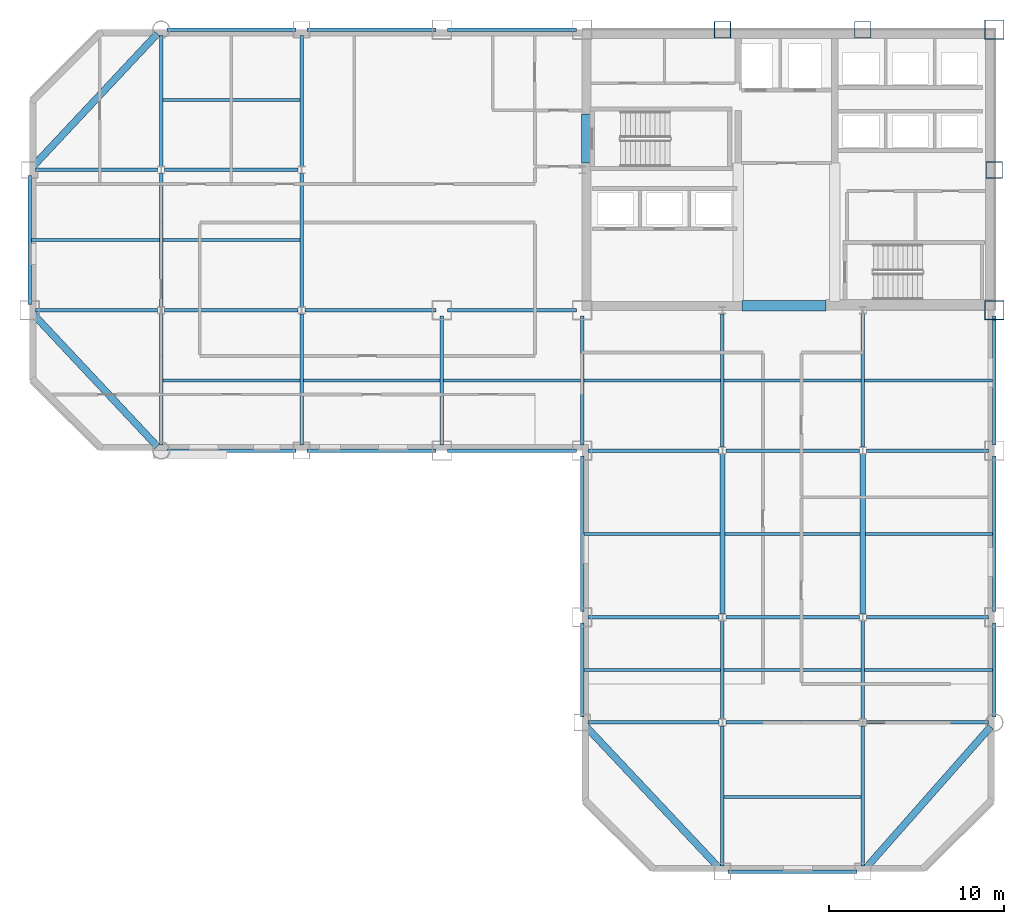
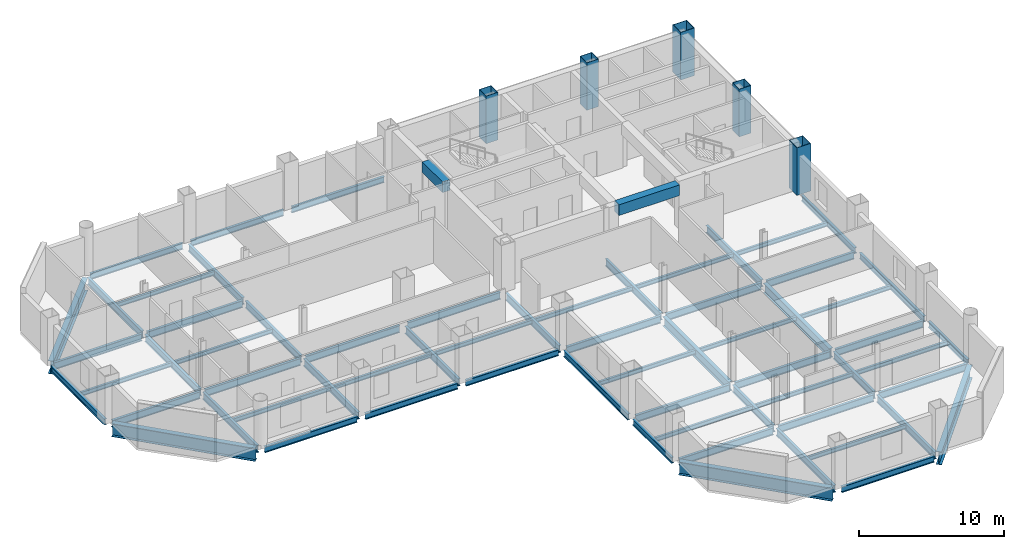
# One storey, part 4 of 10: 66 beams, 5 columns.
"""IFC4 building model written with IfcOpenShell, lengths in metres."""

from ifc_helpers import new_model, si_unit, direction, frame, origin, origin_2d, place, context, subcontext, project, spatial, rectangle, hollow_rectangle, i_section, extrude, material, material_profile, profile_set, type_object, element, save


model = new_model("IFC4")

# Units and contexts
model_context = context("Model", 3, precision=1e-05, world=origin(), true_north=direction((0.0, 1.0)))
body_context = subcontext(model_context, "Body", "Model", "MODEL_VIEW")
ifc_project = project(units=[si_unit("LENGTHUNIT", "METRE"), si_unit("AREAUNIT", "SQUARE_METRE"), si_unit("VOLUMEUNIT", "CUBIC_METRE"), si_unit("PLANEANGLEUNIT", "RADIAN"), si_unit("MASSUNIT", "GRAM", prefix="KILO")], contexts=[model_context])

# Site, building, storey
site_placement = place(None, origin())
site = spatial("IfcSite", under=ifc_project, at=site_placement, CompositionType="ELEMENT")
building_placement = place(site_placement, origin())
building = spatial("IfcBuilding", under=site, at=building_placement, Name="Qianrong Seaharbour Tower", CompositionType="ELEMENT")
storey_placement = place(building_placement, frame((0.0, 0.0, 167.0)))
storey = spatial("IfcBuildingStorey", under=building, at=storey_placement, Name="L40", CompositionType="ELEMENT", Elevation=167.0)

# Columns
ifc_material_1 = material(Name="Structural steel SN490B", Category="steel")
ifc_material_profile_1 = material_profile(ifc_material_1, hollow_rectangle(XDim=1.10009765625, YDim=1.10009765625, WallThickness=0.0400390625, at=origin_2d()), Name="BOX1100x1100x40")
ifc_profile_set_1 = profile_set([ifc_material_profile_1], Name="Structural steel SN490B")
column_type_1 = type_object("IfcColumnType", Name="COL-CFT-1100", PredefinedType="COLUMN", material=ifc_profile_set_1)
for number, where, z_axis, x_axis, name in (
    (1, (64.0, 36.0, 0.0), (0.0, 0.0, 1.0), (1.0, 0.0, 0.0), "L40 Column MC-3 at G9/GF"),
    (2, (64.0, 52.0, 0.0), (0.0, 0.0, 1.0), (1.0, 0.0, 0.0), "L40 Column MC-3 at G9/GH"),
):
    element("IfcColumn", number, at=place(storey_placement, frame(where, z_axis=z_axis, x_axis=x_axis)), inside=storey, type_object=column_type_1, Name=name, PredefinedType="COLUMN", context=body_context, shape_type="SweptSolid", body=[
        extrude(hollow_rectangle(XDim=1.10009765625, YDim=1.10009765625, WallThickness=0.0400390625, at=origin_2d()), origin(), (0.0, 0.0, 1.0), 4.0),
    ])
ifc_material_profile_2 = material_profile(ifc_material_1, hollow_rectangle(XDim=0.949951171875, YDim=0.949951171875, WallThickness=0.035888671875, at=origin_2d()), Name="BOX950x950x36")
ifc_profile_set_2 = profile_set([ifc_material_profile_2], Name="Structural steel SN490B")
column_type_2 = type_object("IfcColumnType", Name="COL-PER-950", PredefinedType="COLUMN", material=ifc_profile_set_2)
for number, where, z_axis, x_axis, name in (
    (3, (48.5, 52.0, 0.0), (0.0, 0.0, 1.0), (1.0, 0.0, 0.0), "L40 Column PC-2 at G7/GH"),
    (4, (56.5, 52.0, 0.0), (0.0, 0.0, 1.0), (1.0, 0.0, 0.0), "L40 Column PC-2 at G8/GH"),
    (5, (64.0, 44.0, 0.0), (0.0, 0.0, 1.0), (1.0, 0.0, 0.0), "L40 Column PC-2 at G9/GG"),
):
    element("IfcColumn", number, at=place(storey_placement, frame(where, z_axis=z_axis, x_axis=x_axis)), inside=storey, type_object=column_type_2, Name=name, PredefinedType="COLUMN", context=body_context, shape_type="SweptSolid", body=[
        extrude(hollow_rectangle(XDim=0.949951171875, YDim=0.949951171875, WallThickness=0.035888671875, at=origin_2d()), origin(), (0.0, 0.0, 1.0), 4.0),
    ])

# Beams
ifc_material_profile_3 = material_profile(ifc_material_1, i_section(OverallWidth=0.199951171875, OverallDepth=0.60009765625, WebThickness=0.010986328125, FlangeThickness=0.01708984375, FilletRadius=0.02197265625, at=origin_2d()), Name="H600x200x11x17")
ifc_profile_set_3 = profile_set([ifc_material_profile_3], Name="Structural steel SN490B")
beam_type_1 = type_object("IfcBeamType", Name="BM-G-600", PredefinedType="BEAM", material=ifc_profile_set_3)
beam_1_placement = place(storey_placement, frame((40.820068359375, 12.5, -0.534912109375), z_axis=(1.0, 0.0, 0.0), x_axis=(0.0, 1.0, 0.0)))
element("IfcBeam", 6, at=beam_1_placement, inside=storey, type_object=beam_type_1, Name="L40 Primary Girder GC G6-G7", PredefinedType="BEAM", context=body_context, shape_type="SweptSolid", body=[
    extrude(i_section(OverallWidth=0.199951171875, OverallDepth=0.60009765625, WebThickness=0.010986328125, FlangeThickness=0.01708984375, FilletRadius=0.02197265625, at=origin_2d()), origin(), (0.0, 0.0, 1.0), 7.47998046875),
])
beam_2_placement = place(storey_placement, frame((48.699951171875, 12.5, -0.534912109375), z_axis=(1.0, 0.0, 0.0), x_axis=(0.0, 1.0, 0.0)))
element("IfcBeam", 7, at=beam_2_placement, inside=storey, type_object=beam_type_1, Name="L40 Primary Girder GC G7-G8", PredefinedType="BEAM", context=body_context, shape_type="SweptSolid", body=[
    extrude(i_section(OverallWidth=0.199951171875, OverallDepth=0.60009765625, WebThickness=0.010986328125, FlangeThickness=0.01708984375, FilletRadius=0.02197265625, at=origin_2d()), origin(), (0.0, 0.0, 1.0), 7.60009765625),
])
beam_3_placement = place(storey_placement, frame((56.699951171875, 12.5, -0.534912109375), z_axis=(1.0, 0.0, 0.0), x_axis=(0.0, 1.0, 0.0)))
element("IfcBeam", 8, at=beam_3_placement, inside=storey, type_object=beam_type_1, Name="L40 Primary Girder GC G8-G9", PredefinedType="BEAM", context=body_context, shape_type="SweptSolid", body=[
    extrude(i_section(OverallWidth=0.199951171875, OverallDepth=0.60009765625, WebThickness=0.010986328125, FlangeThickness=0.01708984375, FilletRadius=0.02197265625, at=origin_2d()), origin(), (0.0, 0.0, 1.0), 6.97998046875),
])
beam_4_placement = place(storey_placement, frame((40.820068359375, 18.5, -0.534912109375), z_axis=(1.0, 0.0, 0.0), x_axis=(0.0, 1.0, 0.0)))
element("IfcBeam", 9, at=beam_4_placement, inside=storey, type_object=beam_type_1, Name="L40 Primary Girder GD G6-G7", PredefinedType="BEAM", context=body_context, shape_type="SweptSolid", body=[
    extrude(i_section(OverallWidth=0.199951171875, OverallDepth=0.60009765625, WebThickness=0.010986328125, FlangeThickness=0.01708984375, FilletRadius=0.02197265625, at=origin_2d()), origin(), (0.0, 0.0, 1.0), 7.47998046875),
])
beam_5_placement = place(storey_placement, frame((48.699951171875, 18.5, -0.534912109375), z_axis=(1.0, 0.0, 0.0), x_axis=(0.0, 1.0, 0.0)))
element("IfcBeam", 10, at=beam_5_placement, inside=storey, type_object=beam_type_1, Name="L40 Primary Girder GD G7-G8", PredefinedType="BEAM", context=body_context, shape_type="SweptSolid", body=[
    extrude(i_section(OverallWidth=0.199951171875, OverallDepth=0.60009765625, WebThickness=0.010986328125, FlangeThickness=0.01708984375, FilletRadius=0.02197265625, at=origin_2d()), origin(), (0.0, 0.0, 1.0), 7.60009765625),
])
beam_6_placement = place(storey_placement, frame((56.699951171875, 18.5, -0.534912109375), z_axis=(1.0, 0.0, 0.0), x_axis=(0.0, 1.0, 0.0)))
element("IfcBeam", 11, at=beam_6_placement, inside=storey, type_object=beam_type_1, Name="L40 Primary Girder GD G8-G9", PredefinedType="BEAM", context=body_context, shape_type="SweptSolid", body=[
    extrude(i_section(OverallWidth=0.199951171875, OverallDepth=0.60009765625, WebThickness=0.010986328125, FlangeThickness=0.01708984375, FilletRadius=0.02197265625, at=origin_2d()), origin(), (0.0, 0.0, 1.0), 6.97998046875),
])
beam_7_placement = place(storey_placement, frame((40.820068359375, 28.0, -0.534912109375), z_axis=(1.0, 0.0, 0.0), x_axis=(0.0, 1.0, 0.0)))
element("IfcBeam", 12, at=beam_7_placement, inside=storey, type_object=beam_type_1, Name="L40 Primary Girder GE G6-G7", PredefinedType="BEAM", context=body_context, shape_type="SweptSolid", body=[
    extrude(i_section(OverallWidth=0.199951171875, OverallDepth=0.60009765625, WebThickness=0.010986328125, FlangeThickness=0.01708984375, FilletRadius=0.02197265625, at=origin_2d()), origin(), (0.0, 0.0, 1.0), 7.47998046875),
])
beam_8_placement = place(storey_placement, frame((48.699951171875, 28.0, -0.534912109375), z_axis=(1.0, 0.0, 0.0), x_axis=(0.0, 1.0, 0.0)))
element("IfcBeam", 13, at=beam_8_placement, inside=storey, type_object=beam_type_1, Name="L40 Primary Girder GE G7-G8", PredefinedType="BEAM", context=body_context, shape_type="SweptSolid", body=[
    extrude(i_section(OverallWidth=0.199951171875, OverallDepth=0.60009765625, WebThickness=0.010986328125, FlangeThickness=0.01708984375, FilletRadius=0.02197265625, at=origin_2d()), origin(), (0.0, 0.0, 1.0), 7.60009765625),
])
for number, where, z_axis, x_axis, name in (
    (14, (56.699951171875, 28.0, -0.534912109375), (1.0, 0.0, 0.0), (0.0, 1.0, 0.0), "L40 Primary Girder GE G8-G9"),
    (15, (9.320068359375, 36.0, -0.534912109375), (1.0, 0.0, 0.0), (0.0, 1.0, 0.0), "L40 Primary Girder GF G2-G3"),
):
    element("IfcBeam", number, at=place(storey_placement, frame(where, z_axis=z_axis, x_axis=x_axis)), inside=storey, type_object=beam_type_1, Name=name, PredefinedType="BEAM", context=body_context, shape_type="SweptSolid", body=[
        extrude(i_section(OverallWidth=0.199951171875, OverallDepth=0.60009765625, WebThickness=0.010986328125, FlangeThickness=0.01708984375, FilletRadius=0.02197265625, at=origin_2d()), origin(), (0.0, 0.0, 1.0), 6.97998046875),
    ])
beam_9_placement = place(storey_placement, frame((16.699951171875, 36.0, -0.534912109375), z_axis=(1.0, 0.0, 0.0), x_axis=(0.0, 1.0, 0.0)))
element("IfcBeam", 16, at=beam_9_placement, inside=storey, type_object=beam_type_1, Name="L40 Primary Girder GF G3-G4", PredefinedType="BEAM", context=body_context, shape_type="SweptSolid", body=[
    extrude(i_section(OverallWidth=0.199951171875, OverallDepth=0.60009765625, WebThickness=0.010986328125, FlangeThickness=0.01708984375, FilletRadius=0.02197265625, at=origin_2d()), origin(), (0.0, 0.0, 1.0), 7.60009765625),
])
beam_10_placement = place(storey_placement, frame((24.699951171875, 36.0, -0.534912109375), z_axis=(1.0, 0.0, 0.0), x_axis=(0.0, 1.0, 0.0)))
element("IfcBeam", 17, at=beam_10_placement, inside=storey, type_object=beam_type_1, Name="L40 Primary Girder GF G4-G5", PredefinedType="BEAM", context=body_context, shape_type="SweptSolid", body=[
    extrude(i_section(OverallWidth=0.199951171875, OverallDepth=0.60009765625, WebThickness=0.010986328125, FlangeThickness=0.01708984375, FilletRadius=0.02197265625, at=origin_2d()), origin(), (0.0, 0.0, 1.0), 7.47998046875),
])
beam_11_placement = place(storey_placement, frame((32.820068359375, 36.0, -0.534912109375), z_axis=(1.0, 0.0, 0.0), x_axis=(0.0, 1.0, 0.0)))
element("IfcBeam", 18, at=beam_11_placement, inside=storey, type_object=beam_type_1, Name="L40 Primary Girder GF G5-G6", PredefinedType="BEAM", context=body_context, shape_type="SweptSolid", body=[
    extrude(i_section(OverallWidth=0.199951171875, OverallDepth=0.60009765625, WebThickness=0.010986328125, FlangeThickness=0.01708984375, FilletRadius=0.02197265625, at=origin_2d()), origin(), (0.0, 0.0, 1.0), 7.35986328125),
])
beam_12_placement = place(storey_placement, frame((9.320068359375, 44.0, -0.534912109375), z_axis=(1.0, 0.0, 0.0), x_axis=(0.0, 1.0, 0.0)))
element("IfcBeam", 19, at=beam_12_placement, inside=storey, type_object=beam_type_1, Name="L40 Primary Girder GG G2-G3", PredefinedType="BEAM", context=body_context, shape_type="SweptSolid", body=[
    extrude(i_section(OverallWidth=0.199951171875, OverallDepth=0.60009765625, WebThickness=0.010986328125, FlangeThickness=0.01708984375, FilletRadius=0.02197265625, at=origin_2d()), origin(), (0.0, 0.0, 1.0), 6.97998046875),
])
beam_13_placement = place(storey_placement, frame((16.699951171875, 44.0, -0.534912109375), z_axis=(1.0, 0.0, 0.0), x_axis=(0.0, 1.0, 0.0)))
element("IfcBeam", 20, at=beam_13_placement, inside=storey, type_object=beam_type_1, Name="L40 Primary Girder GG G3-G4", PredefinedType="BEAM", context=body_context, shape_type="SweptSolid", body=[
    extrude(i_section(OverallWidth=0.199951171875, OverallDepth=0.60009765625, WebThickness=0.010986328125, FlangeThickness=0.01708984375, FilletRadius=0.02197265625, at=origin_2d()), origin(), (0.0, 0.0, 1.0), 7.60009765625),
])
beam_14_placement = place(storey_placement, frame((16.5, 28.320068359375, -0.534912109375), z_axis=(0.0, 1.0, 0.0), x_axis=(-1.0, 0.0, 0.0)))
element("IfcBeam", 21, at=beam_14_placement, inside=storey, type_object=beam_type_1, Name="L40 Primary Girder G3 GE-GF", PredefinedType="BEAM", context=body_context, shape_type="SweptSolid", body=[
    extrude(i_section(OverallWidth=0.199951171875, OverallDepth=0.60009765625, WebThickness=0.010986328125, FlangeThickness=0.01708984375, FilletRadius=0.02197265625, at=origin_2d()), origin(), (0.0, 0.0, 1.0), 7.47998046875),
])
beam_15_placement = place(storey_placement, frame((16.5, 36.199951171875, -0.534912109375), z_axis=(0.0, 1.0, 0.0), x_axis=(-1.0, 0.0, 0.0)))
element("IfcBeam", 22, at=beam_15_placement, inside=storey, type_object=beam_type_1, Name="L40 Primary Girder G3 GF-GG", PredefinedType="BEAM", context=body_context, shape_type="SweptSolid", body=[
    extrude(i_section(OverallWidth=0.199951171875, OverallDepth=0.60009765625, WebThickness=0.010986328125, FlangeThickness=0.01708984375, FilletRadius=0.02197265625, at=origin_2d()), origin(), (0.0, 0.0, 1.0), 7.60009765625),
])
for number, where, z_axis, x_axis, name in (
    (23, (16.5, 44.199951171875, -0.534912109375), (0.0, 1.0, 0.0), (-1.0, 0.0, 0.0), "L40 Primary Girder G3 GG-GH"),
    (24, (24.5, 28.320068359375, -0.534912109375), (0.0, 1.0, 0.0), (-1.0, 0.0, 0.0), "L40 Primary Girder G4 GE-GF"),
):
    element("IfcBeam", number, at=place(storey_placement, frame(where, z_axis=z_axis, x_axis=x_axis)), inside=storey, type_object=beam_type_1, Name=name, PredefinedType="BEAM", context=body_context, shape_type="SweptSolid", body=[
        extrude(i_section(OverallWidth=0.199951171875, OverallDepth=0.60009765625, WebThickness=0.010986328125, FlangeThickness=0.01708984375, FilletRadius=0.02197265625, at=origin_2d()), origin(), (0.0, 0.0, 1.0), 7.47998046875),
    ])
beam_16_placement = place(storey_placement, frame((24.5, 36.199951171875, -0.534912109375), z_axis=(0.0, 1.0, 0.0), x_axis=(-1.0, 0.0, 0.0)))
element("IfcBeam", 25, at=beam_16_placement, inside=storey, type_object=beam_type_1, Name="L40 Primary Girder G4 GF-GG", PredefinedType="BEAM", context=body_context, shape_type="SweptSolid", body=[
    extrude(i_section(OverallWidth=0.199951171875, OverallDepth=0.60009765625, WebThickness=0.010986328125, FlangeThickness=0.01708984375, FilletRadius=0.02197265625, at=origin_2d()), origin(), (0.0, 0.0, 1.0), 7.60009765625),
])
beam_17_placement = place(storey_placement, frame((24.5, 44.199951171875, -0.534912109375), z_axis=(0.0, 1.0, 0.0), x_axis=(-1.0, 0.0, 0.0)))
element("IfcBeam", 26, at=beam_17_placement, inside=storey, type_object=beam_type_1, Name="L40 Primary Girder G4 GG-GH", PredefinedType="BEAM", context=body_context, shape_type="SweptSolid", body=[
    extrude(i_section(OverallWidth=0.199951171875, OverallDepth=0.60009765625, WebThickness=0.010986328125, FlangeThickness=0.01708984375, FilletRadius=0.02197265625, at=origin_2d()), origin(), (0.0, 0.0, 1.0), 7.47998046875),
])
for number, where, z_axis, x_axis, name in (
    (27, (32.5, 28.320068359375, -0.534912109375), (0.0, 1.0, 0.0), (-1.0, 0.0, 0.0), "L40 Primary Girder G5 GE-GF"),
    (28, (40.5, 28.320068359375, -0.534912109375), (0.0, 1.0, 0.0), (-1.0, 0.0, 0.0), "L40 Primary Girder G6 GE-GF"),
):
    element("IfcBeam", number, at=place(storey_placement, frame(where, z_axis=z_axis, x_axis=x_axis)), inside=storey, type_object=beam_type_1, Name=name, PredefinedType="BEAM", context=body_context, shape_type="SweptSolid", body=[
        extrude(i_section(OverallWidth=0.199951171875, OverallDepth=0.60009765625, WebThickness=0.010986328125, FlangeThickness=0.01708984375, FilletRadius=0.02197265625, at=origin_2d()), origin(), (0.0, 0.0, 1.0), 7.35986328125),
    ])
beam_18_placement = place(storey_placement, frame((48.5, 4.320068359375, -0.534912109375), z_axis=(0.0, 1.0, 0.0), x_axis=(-1.0, 0.0, 0.0)))
element("IfcBeam", 29, at=beam_18_placement, inside=storey, type_object=beam_type_1, Name="L40 Primary Girder G7 GB-GC", PredefinedType="BEAM", context=body_context, shape_type="SweptSolid", body=[
    extrude(i_section(OverallWidth=0.199951171875, OverallDepth=0.60009765625, WebThickness=0.010986328125, FlangeThickness=0.01708984375, FilletRadius=0.02197265625, at=origin_2d()), origin(), (0.0, 0.0, 1.0), 7.97998046875),
])
beam_19_placement = place(storey_placement, frame((48.5, 12.699951171875, -0.534912109375), z_axis=(0.0, 1.0, 0.0), x_axis=(-1.0, 0.0, 0.0)))
element("IfcBeam", 30, at=beam_19_placement, inside=storey, type_object=beam_type_1, Name="L40 Primary Girder G7 GC-GD", PredefinedType="BEAM", context=body_context, shape_type="SweptSolid", body=[
    extrude(i_section(OverallWidth=0.199951171875, OverallDepth=0.60009765625, WebThickness=0.010986328125, FlangeThickness=0.01708984375, FilletRadius=0.02197265625, at=origin_2d()), origin(), (0.0, 0.0, 1.0), 5.60009765625),
])
beam_20_placement = place(storey_placement, frame((48.5, 28.199951171875, -0.534912109375), z_axis=(0.0, 1.0, 0.0), x_axis=(-1.0, 0.0, 0.0)))
element("IfcBeam", 31, at=beam_20_placement, inside=storey, type_object=beam_type_1, Name="L40 Primary Girder G7 GE-GF", PredefinedType="BEAM", context=body_context, shape_type="SweptSolid", body=[
    extrude(i_section(OverallWidth=0.199951171875, OverallDepth=0.60009765625, WebThickness=0.010986328125, FlangeThickness=0.01708984375, FilletRadius=0.02197265625, at=origin_2d()), origin(), (0.0, 0.0, 1.0), 7.60009765625),
])
beam_21_placement = place(storey_placement, frame((56.5, 4.320068359375, -0.534912109375), z_axis=(0.0, 1.0, 0.0), x_axis=(-1.0, 0.0, 0.0)))
element("IfcBeam", 32, at=beam_21_placement, inside=storey, type_object=beam_type_1, Name="L40 Primary Girder G8 GB-GC", PredefinedType="BEAM", context=body_context, shape_type="SweptSolid", body=[
    extrude(i_section(OverallWidth=0.199951171875, OverallDepth=0.60009765625, WebThickness=0.010986328125, FlangeThickness=0.01708984375, FilletRadius=0.02197265625, at=origin_2d()), origin(), (0.0, 0.0, 1.0), 7.97998046875),
])
beam_22_placement = place(storey_placement, frame((56.5, 12.699951171875, -0.534912109375), z_axis=(0.0, 1.0, 0.0), x_axis=(-1.0, 0.0, 0.0)))
element("IfcBeam", 33, at=beam_22_placement, inside=storey, type_object=beam_type_1, Name="L40 Primary Girder G8 GC-GD", PredefinedType="BEAM", context=body_context, shape_type="SweptSolid", body=[
    extrude(i_section(OverallWidth=0.199951171875, OverallDepth=0.60009765625, WebThickness=0.010986328125, FlangeThickness=0.01708984375, FilletRadius=0.02197265625, at=origin_2d()), origin(), (0.0, 0.0, 1.0), 5.60009765625),
])
beam_23_placement = place(storey_placement, frame((56.5, 28.199951171875, -0.534912109375), z_axis=(0.0, 1.0, 0.0), x_axis=(-1.0, 0.0, 0.0)))
element("IfcBeam", 34, at=beam_23_placement, inside=storey, type_object=beam_type_1, Name="L40 Primary Girder G8 GE-GF", PredefinedType="BEAM", context=body_context, shape_type="SweptSolid", body=[
    extrude(i_section(OverallWidth=0.199951171875, OverallDepth=0.60009765625, WebThickness=0.010986328125, FlangeThickness=0.01708984375, FilletRadius=0.02197265625, at=origin_2d()), origin(), (0.0, 0.0, 1.0), 7.60009765625),
])
ifc_material_profile_4 = material_profile(ifc_material_1, i_section(OverallWidth=0.300048828125, OverallDepth=0.800048828125, WebThickness=0.013916015625, FlangeThickness=0.02587890625, FilletRadius=0.028076171875, at=origin_2d()), Name="H800x300x14x26")
ifc_profile_set_4 = profile_set([ifc_material_profile_4], Name="Structural steel SN490B")
beam_type_2 = type_object("IfcBeamType", Name="BM-G-800", PredefinedType="BEAM", material=ifc_profile_set_4)
for number, where, z_axis, x_axis, name in (
    (35, (48.5, 18.699951171875, -0.635009765625), (0.0, 1.0, 0.0), (-1.0, 0.0, 0.0), "L40 Primary Girder G7 GD-GE"),
    (36, (56.5, 18.699951171875, -0.635009765625), (0.0, 1.0, 0.0), (-1.0, 0.0, 0.0), "L40 Primary Girder G8 GD-GE"),
):
    element("IfcBeam", number, at=place(storey_placement, frame(where, z_axis=z_axis, x_axis=x_axis)), inside=storey, type_object=beam_type_2, Name=name, PredefinedType="BEAM", context=body_context, shape_type="SweptSolid", body=[
        extrude(i_section(OverallWidth=0.300048828125, OverallDepth=0.800048828125, WebThickness=0.013916015625, FlangeThickness=0.02587890625, FilletRadius=0.028076171875, at=origin_2d()), origin(), (0.0, 0.0, 1.0), 9.10009765625),
    ])
ifc_material_2 = material(Name="Structural steel SN400B", Category="steel")
ifc_material_profile_5 = material_profile(ifc_material_2, i_section(OverallWidth=0.175048828125, OverallDepth=0.35009765625, WebThickness=0.007080078125, FlangeThickness=0.010986328125, FilletRadius=0.013916015625, at=origin_2d()), Name="H350x175x7x11")
ifc_profile_set_5 = profile_set([ifc_material_profile_5], Name="Structural steel SN400B")
beam_type_3 = type_object("IfcBeamType", Name="BM-J-350", PredefinedType="JOIST", material=ifc_profile_set_5)
beam_24_placement = place(storey_placement, frame((9.10009765625, 40.0, -0.409912109375), z_axis=(1.0, 0.0, 0.0), x_axis=(0.0, 1.0, 0.0)))
element("IfcBeam", 37, at=beam_24_placement, inside=storey, type_object=beam_type_3, Name="L40 Composite Floor Joist G2-G3/GF-GG", PredefinedType="JOIST", context=body_context, shape_type="SweptSolid", body=[
    extrude(i_section(OverallWidth=0.175048828125, OverallDepth=0.35009765625, WebThickness=0.007080078125, FlangeThickness=0.010986328125, FilletRadius=0.013916015625, at=origin_2d()), origin(), (0.0, 0.0, 1.0), 7.2998046875),
])
for number, where, z_axis, x_axis, name in (
    (38, (16.60009765625, 32.0, -0.409912109375), (1.0, 0.0, 0.0), (0.0, 1.0, 0.0), "L40 Composite Floor Joist G3-G4/GE-GF"),
    (39, (16.60009765625, 40.0, -0.409912109375), (1.0, 0.0, 0.0), (0.0, 1.0, 0.0), "L40 Composite Floor Joist G3-G4/GF-GG"),
    (40, (16.60009765625, 48.0, -0.409912109375), (1.0, 0.0, 0.0), (0.0, 1.0, 0.0), "L40 Composite Floor Joist G3-G4/GG-GH"),
    (41, (24.60009765625, 32.0, -0.409912109375), (1.0, 0.0, 0.0), (0.0, 1.0, 0.0), "L40 Composite Floor Joist G4-G5/GE-GF"),
    (42, (32.60009765625, 32.0, -0.409912109375), (1.0, 0.0, 0.0), (0.0, 1.0, 0.0), "L40 Composite Floor Joist G5-G6/GE-GF"),
    (43, (40.60009765625, 15.5, -0.409912109375), (1.0, 0.0, 0.0), (0.0, 1.0, 0.0), "L40 Composite Floor Joist G6-G7/GC-GD"),
):
    element("IfcBeam", number, at=place(storey_placement, frame(where, z_axis=z_axis, x_axis=x_axis)), inside=storey, type_object=beam_type_3, Name=name, PredefinedType="JOIST", context=body_context, shape_type="SweptSolid", body=[
        extrude(i_section(OverallWidth=0.175048828125, OverallDepth=0.35009765625, WebThickness=0.007080078125, FlangeThickness=0.010986328125, FilletRadius=0.013916015625, at=origin_2d()), origin(), (0.0, 0.0, 1.0), 7.7998046875),
    ])
beam_25_placement = place(storey_placement, frame((40.60009765625, 23.25, -0.409912109375), z_axis=(1.0, 0.0, 0.0), x_axis=(0.0, 1.0, 0.0)))
element("IfcBeam", 44, at=beam_25_placement, inside=storey, type_object=beam_type_3, Name="L40 Composite Floor Joist G6-G7/GD-GE", PredefinedType="JOIST", context=body_context, shape_type="SweptSolid", body=[
    extrude(i_section(OverallWidth=0.175048828125, OverallDepth=0.35009765625, WebThickness=0.007080078125, FlangeThickness=0.010986328125, FilletRadius=0.013916015625, at=origin_2d()), origin(), (0.0, 0.0, 1.0), 7.75),
])
for number, where, z_axis, x_axis, name in (
    (45, (40.60009765625, 32.0, -0.409912109375), (1.0, 0.0, 0.0), (0.0, 1.0, 0.0), "L40 Composite Floor Joist G6-G7/GE-GF"),
    (46, (48.60009765625, 8.25, -0.409912109375), (1.0, 0.0, 0.0), (0.0, 1.0, 0.0), "L40 Composite Floor Joist G7-G8/GB-GC"),
    (47, (48.60009765625, 15.5, -0.409912109375), (1.0, 0.0, 0.0), (0.0, 1.0, 0.0), "L40 Composite Floor Joist G7-G8/GC-GD"),
):
    element("IfcBeam", number, at=place(storey_placement, frame(where, z_axis=z_axis, x_axis=x_axis)), inside=storey, type_object=beam_type_3, Name=name, PredefinedType="JOIST", context=body_context, shape_type="SweptSolid", body=[
        extrude(i_section(OverallWidth=0.175048828125, OverallDepth=0.35009765625, WebThickness=0.007080078125, FlangeThickness=0.010986328125, FilletRadius=0.013916015625, at=origin_2d()), origin(), (0.0, 0.0, 1.0), 7.7998046875),
    ])
beam_26_placement = place(storey_placement, frame((48.64990234375, 23.25, -0.409912109375), z_axis=(1.0, 0.0, 0.0), x_axis=(0.0, 1.0, 0.0)))
element("IfcBeam", 48, at=beam_26_placement, inside=storey, type_object=beam_type_3, Name="L40 Composite Floor Joist G7-G8/GD-GE", PredefinedType="JOIST", context=body_context, shape_type="SweptSolid", body=[
    extrude(i_section(OverallWidth=0.175048828125, OverallDepth=0.35009765625, WebThickness=0.007080078125, FlangeThickness=0.010986328125, FilletRadius=0.013916015625, at=origin_2d()), origin(), (0.0, 0.0, 1.0), 7.7001953125),
])
beam_27_placement = place(storey_placement, frame((48.60009765625, 32.0, -0.409912109375), z_axis=(1.0, 0.0, 0.0), x_axis=(0.0, 1.0, 0.0)))
element("IfcBeam", 49, at=beam_27_placement, inside=storey, type_object=beam_type_3, Name="L40 Composite Floor Joist G7-G8/GE-GF", PredefinedType="JOIST", context=body_context, shape_type="SweptSolid", body=[
    extrude(i_section(OverallWidth=0.175048828125, OverallDepth=0.35009765625, WebThickness=0.007080078125, FlangeThickness=0.010986328125, FilletRadius=0.013916015625, at=origin_2d()), origin(), (0.0, 0.0, 1.0), 7.7998046875),
])
beam_28_placement = place(storey_placement, frame((56.60009765625, 15.5, -0.409912109375), z_axis=(1.0, 0.0, 0.0), x_axis=(0.0, 1.0, 0.0)))
element("IfcBeam", 50, at=beam_28_placement, inside=storey, type_object=beam_type_3, Name="L40 Composite Floor Joist G8-G9/GC-GD", PredefinedType="JOIST", context=body_context, shape_type="SweptSolid", body=[
    extrude(i_section(OverallWidth=0.175048828125, OverallDepth=0.35009765625, WebThickness=0.007080078125, FlangeThickness=0.010986328125, FilletRadius=0.013916015625, at=origin_2d()), origin(), (0.0, 0.0, 1.0), 7.2998046875),
])
beam_29_placement = place(storey_placement, frame((56.64990234375, 23.25, -0.409912109375), z_axis=(1.0, 0.0, 0.0), x_axis=(0.0, 1.0, 0.0)))
element("IfcBeam", 51, at=beam_29_placement, inside=storey, type_object=beam_type_3, Name="L40 Composite Floor Joist G8-G9/GD-GE", PredefinedType="JOIST", context=body_context, shape_type="SweptSolid", body=[
    extrude(i_section(OverallWidth=0.175048828125, OverallDepth=0.35009765625, WebThickness=0.007080078125, FlangeThickness=0.010986328125, FilletRadius=0.013916015625, at=origin_2d()), origin(), (0.0, 0.0, 1.0), 7.25),
])
beam_30_placement = place(storey_placement, frame((56.60009765625, 32.0, -0.409912109375), z_axis=(1.0, 0.0, 0.0), x_axis=(0.0, 1.0, 0.0)))
element("IfcBeam", 52, at=beam_30_placement, inside=storey, type_object=beam_type_3, Name="L40 Composite Floor Joist G8-G9/GE-GF", PredefinedType="JOIST", context=body_context, shape_type="SweptSolid", body=[
    extrude(i_section(OverallWidth=0.175048828125, OverallDepth=0.35009765625, WebThickness=0.007080078125, FlangeThickness=0.010986328125, FilletRadius=0.013916015625, at=origin_2d()), origin(), (0.0, 0.0, 1.0), 7.2998046875),
])
ifc_material_3 = material(Name="Concrete C70/85", Category="concrete")
ifc_material_profile_6 = material_profile(ifc_material_3, rectangle(XDim=0.60009765625, YDim=0.89990234375, at=origin_2d()), Name="RC600x900")
ifc_profile_set_6 = profile_set([ifc_material_profile_6], Name="Concrete C70/85")
beam_type_4 = type_object("IfcBeamType", Name="BM-LINTEL-900", PredefinedType="LINTEL", material=ifc_profile_set_6)
beam_31_placement = place(storey_placement, frame((40.75, 44.39990234375, 3.31494140625), z_axis=(0.0, 1.0, 0.0), x_axis=(-1.0, 0.0, 0.0)))
element("IfcBeam", 53, at=beam_31_placement, inside=storey, type_object=beam_type_4, Name="L40 Core Coupling Lintel Beam West", PredefinedType="LINTEL", context=body_context, shape_type="SweptSolid", body=[
    extrude(rectangle(XDim=0.60009765625, YDim=0.89990234375, at=origin_2d()), origin(), (0.0, 0.0, 1.0), 2.800048828125),
])
beam_32_placement = place(storey_placement, frame((49.60009765625, 36.25, 3.31494140625), z_axis=(1.0, 0.0, 0.0), x_axis=(0.0, 1.0, 0.0)))
element("IfcBeam", 54, at=beam_32_placement, inside=storey, type_object=beam_type_4, Name="L40 Core Coupling Lintel Beam CBC", PredefinedType="LINTEL", context=body_context, shape_type="SweptSolid", body=[
    extrude(rectangle(XDim=0.60009765625, YDim=0.89990234375, at=origin_2d()), origin(), (0.0, 0.0, 1.0), 4.7998046875),
])
ifc_material_profile_7 = material_profile(ifc_material_1, i_section(OverallWidth=0.199951171875, OverallDepth=0.5, WebThickness=0.010009765625, FlangeThickness=0.01611328125, FilletRadius=0.02001953125, at=origin_2d()), Name="H500x200x10x16")
ifc_profile_set_7 = profile_set([ifc_material_profile_7], Name="Structural steel SN490B")
beam_type_5 = type_object("IfcBeamType", Name="BM-SP-500", PredefinedType="SPANDREL", material=ifc_profile_set_7)
for number, where, z_axis, x_axis, name in (
    (55, (48.820068359375, 4.0, -0.485107421875), (1.0, 0.0, 0.0), (0.0, 1.0, 0.0), "L40 Spandrel Girder GB G7-G8"),
    (56, (16.820068359375, 28.0, -0.485107421875), (1.0, 0.0, 0.0), (0.0, 1.0, 0.0), "L40 Spandrel Girder GE G3-G4"),
    (57, (24.820068359375, 28.0, -0.485107421875), (1.0, 0.0, 0.0), (0.0, 1.0, 0.0), "L40 Spandrel Girder GE G4-G5"),
    (58, (32.820068359375, 28.0, -0.485107421875), (1.0, 0.0, 0.0), (0.0, 1.0, 0.0), "L40 Spandrel Girder GE G5-G6"),
    (59, (16.820068359375, 52.0, -0.485107421875), (1.0, 0.0, 0.0), (0.0, 1.0, 0.0), "L40 Spandrel Girder GH G3-G4"),
    (60, (24.820068359375, 52.0, -0.485107421875), (1.0, 0.0, 0.0), (0.0, 1.0, 0.0), "L40 Spandrel Girder GH G4-G5"),
    (61, (32.820068359375, 52.0, -0.485107421875), (1.0, 0.0, 0.0), (0.0, 1.0, 0.0), "L40 Spandrel Girder GH G5-G6"),
    (62, (9.0, 36.320068359375, -0.485107421875), (0.0, 1.0, 0.0), (-1.0, 0.0, 0.0), "L40 Spandrel Girder G2 GF-GG"),
):
    element("IfcBeam", number, at=place(storey_placement, frame(where, z_axis=z_axis, x_axis=x_axis)), inside=storey, type_object=beam_type_5, Name=name, PredefinedType="SPANDREL", context=body_context, shape_type="SweptSolid", body=[
        extrude(i_section(OverallWidth=0.199951171875, OverallDepth=0.5, WebThickness=0.010009765625, FlangeThickness=0.01611328125, FilletRadius=0.02001953125, at=origin_2d()), origin(), (0.0, 0.0, 1.0), 7.35986328125),
    ])
beam_33_placement = place(storey_placement, frame((40.5, 12.820068359375, -0.485107421875), z_axis=(0.0, 1.0, 0.0), x_axis=(-1.0, 0.0, 0.0)))
element("IfcBeam", 63, at=beam_33_placement, inside=storey, type_object=beam_type_5, Name="L40 Spandrel Girder G6 GC-GD", PredefinedType="SPANDREL", context=body_context, shape_type="SweptSolid", body=[
    extrude(i_section(OverallWidth=0.199951171875, OverallDepth=0.5, WebThickness=0.010009765625, FlangeThickness=0.01611328125, FilletRadius=0.02001953125, at=origin_2d()), origin(), (0.0, 0.0, 1.0), 5.35986328125),
])
beam_34_placement = place(storey_placement, frame((40.5, 18.820068359375, -0.485107421875), z_axis=(0.0, 1.0, 0.0), x_axis=(-1.0, 0.0, 0.0)))
element("IfcBeam", 64, at=beam_34_placement, inside=storey, type_object=beam_type_5, Name="L40 Spandrel Girder G6 GD-GE", PredefinedType="SPANDREL", context=body_context, shape_type="SweptSolid", body=[
    extrude(i_section(OverallWidth=0.199951171875, OverallDepth=0.5, WebThickness=0.010009765625, FlangeThickness=0.01611328125, FilletRadius=0.02001953125, at=origin_2d()), origin(), (0.0, 0.0, 1.0), 8.85986328125),
])
beam_35_placement = place(storey_placement, frame((64.0, 12.820068359375, -0.485107421875), z_axis=(0.0, 1.0, 0.0), x_axis=(-1.0, 0.0, 0.0)))
element("IfcBeam", 65, at=beam_35_placement, inside=storey, type_object=beam_type_5, Name="L40 Spandrel Girder G9 GC-GD", PredefinedType="SPANDREL", context=body_context, shape_type="SweptSolid", body=[
    extrude(i_section(OverallWidth=0.199951171875, OverallDepth=0.5, WebThickness=0.010009765625, FlangeThickness=0.01611328125, FilletRadius=0.02001953125, at=origin_2d()), origin(), (0.0, 0.0, 1.0), 5.35986328125),
])
beam_36_placement = place(storey_placement, frame((64.0, 18.820068359375, -0.485107421875), z_axis=(0.0, 1.0, 0.0), x_axis=(-1.0, 0.0, 0.0)))
element("IfcBeam", 66, at=beam_36_placement, inside=storey, type_object=beam_type_5, Name="L40 Spandrel Girder G9 GD-GE", PredefinedType="SPANDREL", context=body_context, shape_type="SweptSolid", body=[
    extrude(i_section(OverallWidth=0.199951171875, OverallDepth=0.5, WebThickness=0.010009765625, FlangeThickness=0.01611328125, FilletRadius=0.02001953125, at=origin_2d()), origin(), (0.0, 0.0, 1.0), 8.85986328125),
])
beam_37_placement = place(storey_placement, frame((64.0, 28.320068359375, -0.485107421875), z_axis=(0.0, 1.0, 0.0), x_axis=(-1.0, 0.0, 0.0)))
element("IfcBeam", 67, at=beam_37_placement, inside=storey, type_object=beam_type_5, Name="L40 Spandrel Girder G9 GE-GF", PredefinedType="SPANDREL", context=body_context, shape_type="SweptSolid", body=[
    extrude(i_section(OverallWidth=0.199951171875, OverallDepth=0.5, WebThickness=0.010009765625, FlangeThickness=0.01611328125, FilletRadius=0.02001953125, at=origin_2d()), origin(), (0.0, 0.0, 1.0), 7.35986328125),
])
ifc_material_profile_8 = material_profile(ifc_material_1, i_section(OverallWidth=0.39990234375, OverallDepth=1.10009765625, WebThickness=0.02001953125, FlangeThickness=0.035888671875, at=origin_2d()), Name="BH1100x400x20x36")
ifc_profile_set_8 = profile_set([ifc_material_profile_8], Name="Structural steel SN490B")
beam_type_6 = type_object("IfcBeamType", Name="BM-TG-1100", PredefinedType="BEAM", material=ifc_profile_set_8)
for number, where, z_axis, x_axis, name in (
    (68, (16.28125, 28.2333984375, -0.784912109375), (-0.683947420573, 0.729531305628, 0.0), (-0.729531305628, -0.683947420573, 0.0), "L40 Chamfer Corner Spandrel Girder G2/GE"),
    (69, (16.28125, 51.7666015625, -0.784912109375), (-0.683947420573, -0.729531305628, 0.0), (0.729531305628, -0.683947420573, 0.0), "L40 Chamfer Corner Spandrel Girder G2/GH"),
):
    element("IfcBeam", number, at=place(storey_placement, frame(where, z_axis=z_axis, x_axis=x_axis)), inside=storey, type_object=beam_type_6, Name=name, PredefinedType="BEAM", context=body_context, shape_type="SweptSolid", body=[
        extrude(i_section(OverallWidth=0.39990234375, OverallDepth=1.10009765625, WebThickness=0.02001953125, FlangeThickness=0.035888671875, at=origin_2d()), origin(), (0.0, 0.0, 1.0), 10.326171875),
    ])
beam_38_placement = place(storey_placement, frame((48.28076171875, 4.23291015625, -0.784912109375), z_axis=(-0.685361938021, 0.728202591256, 0.0), x_axis=(-0.728202591256, -0.685361938021, 0.0)))
element("IfcBeam", 70, at=beam_38_placement, inside=storey, type_object=beam_type_6, Name="L40 Chamfer Corner Spandrel Girder G6/GB", PredefinedType="BEAM", context=body_context, shape_type="SweptSolid", body=[
    extrude(i_section(OverallWidth=0.39990234375, OverallDepth=1.10009765625, WebThickness=0.02001953125, FlangeThickness=0.035888671875, at=origin_2d()), origin(), (0.0, 0.0, 1.0), 11.032958984375),
])
beam_39_placement = place(storey_placement, frame((56.711669921875, 4.239990234375, -0.784912109375), z_axis=(0.661630696334, 0.749829861815, 0.0), x_axis=(-0.749829861815, 0.661630696334, 0.0)))
element("IfcBeam", 71, at=beam_39_placement, inside=storey, type_object=beam_type_6, Name="L40 Chamfer Corner Spandrel Girder G9/GB", PredefinedType="BEAM", context=body_context, shape_type="SweptSolid", body=[
    extrude(i_section(OverallWidth=0.39990234375, OverallDepth=1.10009765625, WebThickness=0.02001953125, FlangeThickness=0.035888671875, at=origin_2d()), origin(), (0.0, 0.0, 1.0), 10.69580078125),
])

save(model, "model.ifc")
